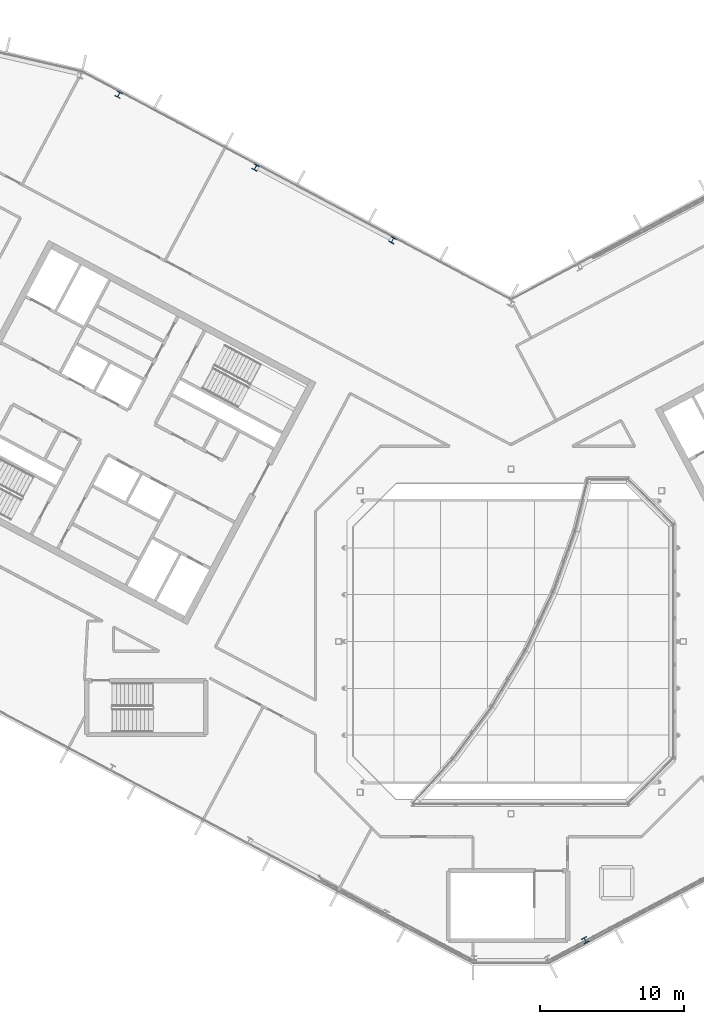
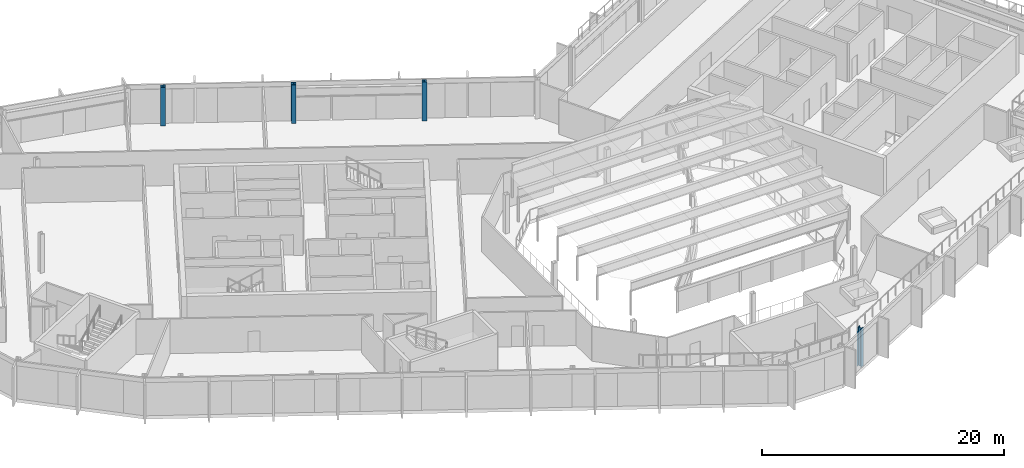
# One storey, part 5 of 35: 4 columns.
"""IFC4 building model written with IfcOpenShell, lengths in metres."""

from ifc_helpers import new_model, si_unit, direction, frame, origin, origin_2d, place, context, subcontext, project, spatial, i_section, extrude, material, material_profile, profile_set, type_object, element, save


model = new_model("IFC4")

# Units and contexts
model_context = context("Model", 3, precision=1e-05, world=origin(), true_north=direction((0.0, 1.0)))
body_context = subcontext(model_context, "Body", "Model", "MODEL_VIEW")
ifc_project = project(units=[si_unit("LENGTHUNIT", "METRE"), si_unit("AREAUNIT", "SQUARE_METRE"), si_unit("VOLUMEUNIT", "CUBIC_METRE"), si_unit("PLANEANGLEUNIT", "RADIAN"), si_unit("MASSUNIT", "GRAM", prefix="KILO")], contexts=[model_context])

# Site, building, storey
site_placement = place(None, origin())
site = spatial("IfcSite", under=ifc_project, at=site_placement, CompositionType="ELEMENT")
building_placement = place(site_placement, origin())
building = spatial("IfcBuilding", under=site, at=building_placement, Name="Cormorant Relay Tower", CompositionType="ELEMENT")
storey_placement = place(building_placement, frame((0.0, 0.0, 324.300048828125)))
storey = spatial("IfcBuildingStorey", under=building, at=storey_placement, Name="L74", CompositionType="ELEMENT", Elevation=324.300048828125)

# Columns
ifc_material = material(Name="Steel ASTM A992 (Fy 345 MPa)", Category="steel")
ifc_material_profile = material_profile(ifc_material, i_section(OverallWidth=0.398681640625, OverallDepth=0.385986328125, WebThickness=0.02099609375, FlangeThickness=0.033203125, FilletRadius=0.01513671875, at=origin_2d()), Name="W360x262")
ifc_profile_set = profile_set([ifc_material_profile], Name="Steel ASTM A992 (Fy 345 MPa)")
column_type = type_object("IfcColumnType", Name="Column W360x262", PredefinedType="COLUMN", material=ifc_profile_set)
for number, where, z_axis, x_axis, name in (
    (1, (5.174072265625, -20.806884765625, 0.0), (0.0, 0.0, 1.0), (0.882947592859, 0.469471562786, 0.0), "Column L74-003"),
    (2, (-8.2470703125, 27.943115234375, 0.0), (0.0, 0.0, 1.0), (-0.882947592859, 0.469471562786, 0.0), "Column L74-032"),
    (3, (-17.782958984375, 33.012939453125, 0.0), (0.0, 0.0, 1.0), (-0.882947592859, 0.469471562786, 0.0), "Column L74-036"),
    (4, (-27.319091796875, 38.0830078125, 0.0), (0.0, 0.0, 1.0), (-0.882947592859, 0.469471562786, 0.0), "Column L74-040"),
):
    element("IfcColumn", number, at=place(storey_placement, frame(where, z_axis=z_axis, x_axis=x_axis)), inside=storey, type_object=column_type, Name=name, PredefinedType="COLUMN", context=body_context, shape_type="SweptSolid", body=[
        extrude(i_section(OverallWidth=0.398681640625, OverallDepth=0.385986328125, WebThickness=0.02099609375, FlangeThickness=0.033203125, FilletRadius=0.01513671875, at=origin_2d()), origin(), (0.0, 0.0, 1.0), 3.89990234375),
    ])

save(model, "model.ifc")
